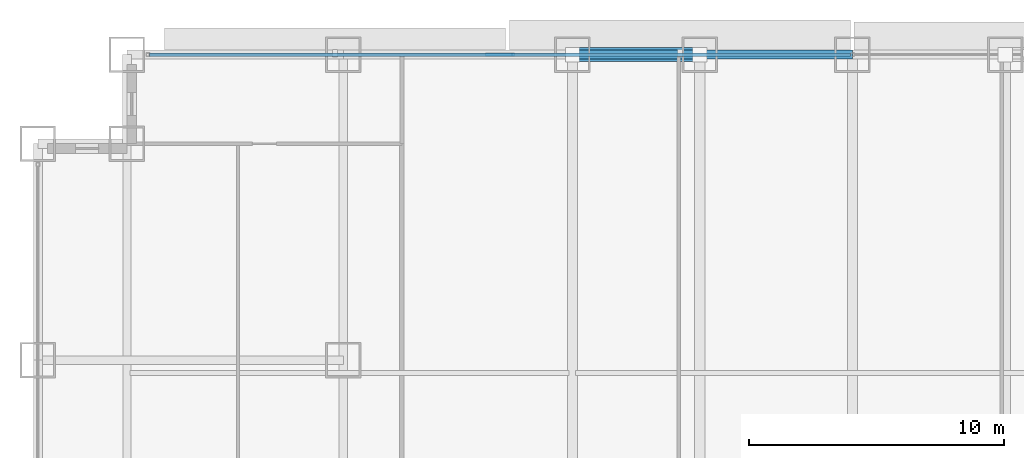
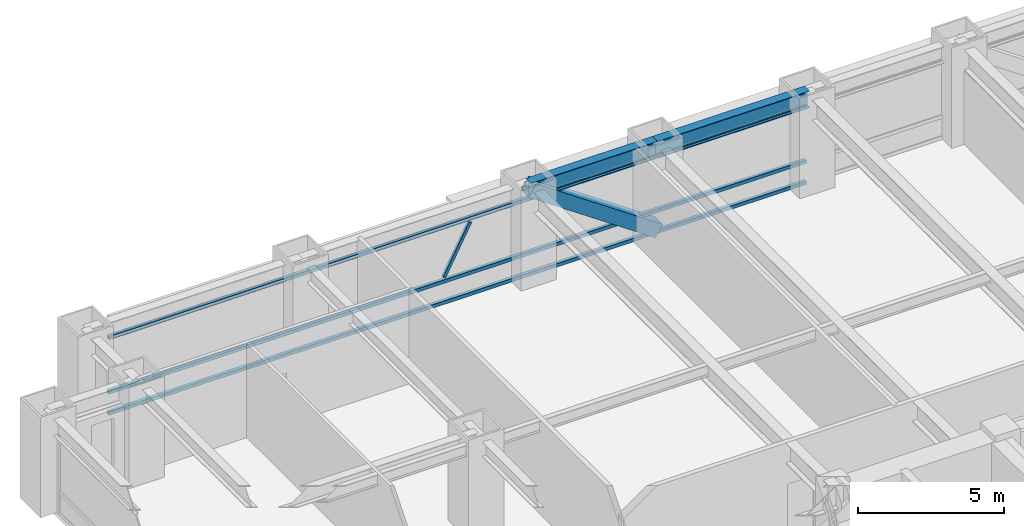
# One storey, part 18 of 32: 5 members, 2 beams, 1 element without a shape of its own.
"""IFC4 building model written with IfcOpenShell, lengths in metres."""

import ifcopenshell
import ifcopenshell.guid

model = None  # the IFC model being written
_history = None  # IfcOwnerHistory: only IFC2X3 demands one
_inside = {}  # id of a spatial element -> (the spatial element, [elements in it])
_under = {}  # id of a project, library or spatial element -> (it, [spatial elements below it])
_declared = {}  # id of a project -> (the project, [libraries it declares])
_typed = {}  # id of a type object -> (the type object, [elements of that type])
_made_of = {}  # id of a material, layer set ... -> (it, [elements and type objects made of it])


def new_model(schema):
    """Start an empty IFC model of exactly this schema.

    Asked for "IFC4X3", IfcOpenShell would pick the latest addendum, in which some entities
    have other attributes; the version numbers below select the first issue.
    IFC2X3 requires an IfcOwnerHistory on every rooted entity: one is made here for all.
    """
    global model, _history
    if schema == "IFC4X3":
        model = ifcopenshell.file(schema_version=(4, 3, 0, 0))
    else:
        model = ifcopenshell.file(schema=schema)
    _inside.clear()
    _under.clear()
    _declared.clear()
    _typed.clear()
    _made_of.clear()
    _history = None
    if model.schema == "IFC2X3":
        org = make("IfcOrganization", Name="unknown")
        user = make(
            "IfcPersonAndOrganization",
            ThePerson=make("IfcPerson", FamilyName="unknown"),
            TheOrganization=org,
        )
        app = make(
            "IfcApplication",
            ApplicationDeveloper=org,
            Version="unknown",
            ApplicationFullName="unknown",
            ApplicationIdentifier="unknown",
        )
        _history = make(
            "IfcOwnerHistory",
            OwningUser=user,
            OwningApplication=app,
            ChangeAction="ADDED",
            CreationDate=0,
        )
    return model


def make(cls, **values):
    """One entity of the class cls with the attributes given. An attribute that is None is left unset."""
    return model.create_entity(
        cls, **{name: value for name, value in values.items() if value is not None}
    )


def rooted(cls, **values):
    """An entity with a GlobalId (a new one), such as an element, a storey or a relation."""
    return make(cls, GlobalId=ifcopenshell.guid.new(), OwnerHistory=_history, **values)


def si_unit(unit_type, name, prefix=None):
    """IfcSIUnit, for example si_unit("LENGTHUNIT", "METRE", prefix="MILLI")."""
    return make("IfcSIUnit", UnitType=unit_type, Prefix=prefix, Name=name)


def assignment(units):
    """IfcUnitAssignment: the units of a project."""
    return None if units is None else make("IfcUnitAssignment", Units=units)


def point(xyz):
    """IfcCartesianPoint."""
    return None if xyz is None else make("IfcCartesianPoint", Coordinates=xyz)


def direction(xyz):
    """IfcDirection."""
    return None if xyz is None else make("IfcDirection", DirectionRatios=xyz)


def frame(location, z_axis=None, x_axis=None):
    """IfcAxis2Placement3D, a coordinate frame: its origin and axes. An axis left out is left unset."""
    return make(
        "IfcAxis2Placement3D",
        Location=point(location),
        Axis=direction(z_axis),
        RefDirection=direction(x_axis),
    )


def frame_2d(location, x_axis=None):
    """IfcAxis2Placement2D, a coordinate frame in the plane: its origin and x axis."""
    return make(
        "IfcAxis2Placement2D", Location=point(location), RefDirection=direction(x_axis)
    )


def origin():
    """The frame at (0, 0, 0) with its axes left unset."""
    return frame((0.0, 0.0, 0.0))


def origin_2d():
    """The frame at (0, 0) in the plane with its x axis left unset."""
    return frame_2d((0.0, 0.0))


def place(relative_to, where):
    """IfcLocalPlacement: puts the frame where relative to a parent placement (None: the world)."""
    return make(
        "IfcLocalPlacement", PlacementRelTo=relative_to, RelativePlacement=where
    )


def context(
    kind, dimensions, precision=None, world=None, true_north=None, identifier=None
):
    """IfcGeometricRepresentationContext, for example the 3D "Model" context."""
    return make(
        "IfcGeometricRepresentationContext",
        ContextIdentifier=identifier,
        ContextType=kind,
        CoordinateSpaceDimension=dimensions,
        Precision=precision,
        WorldCoordinateSystem=world,
        TrueNorth=true_north,
    )


def subcontext(parent, identifier, kind, view, scale=None):
    """IfcGeometricRepresentationSubContext, for example "Body" below "Model"."""
    return make(
        "IfcGeometricRepresentationSubContext",
        ContextIdentifier=identifier,
        ContextType=kind,
        ParentContext=parent,
        TargetScale=scale,
        TargetView=view,
    )


def project(units=None, contexts=None):
    """IfcProject with its units and contexts."""
    return rooted(
        "IfcProject",
        Name="project",
        RepresentationContexts=contexts,
        UnitsInContext=assignment(units),
    )


def spatial(cls, under=None, at=None, **own):
    """A site, building, storey or space (cls), placed at a placement, below another one or the project."""
    s = rooted(cls, ObjectPlacement=at, **own)
    if under is not None:
        _under.setdefault(under.id(), (under, []))[1].append(s)
    return s


def profile(cls, at=None, kind="AREA", **sizes):
    """A parametric profile (cls). Its sizes go by their IFC names, for example OverallWidth=200.0."""
    return make(cls, ProfileType=kind, Position=at, **sizes)


def hollow_rectangle(**sizes):
    """IfcRectangleHollowProfileDef."""
    return profile("IfcRectangleHollowProfileDef", **sizes)


def i_section(**sizes):
    """IfcIShapeProfileDef."""
    return profile("IfcIShapeProfileDef", **sizes)


def extrude(swept, where, along, depth):
    """IfcExtrudedAreaSolid: the profile swept, set in the frame where, extruded along a direction by depth."""
    return make(
        "IfcExtrudedAreaSolid",
        SweptArea=swept,
        Position=where,
        ExtrudedDirection=direction(along),
        Depth=depth,
    )


def shape(context_of_items, identifier, shape_type, items):
    """IfcShapeRepresentation: the items that make up one representation, for example the "Body"."""
    return make(
        "IfcShapeRepresentation",
        ContextOfItems=context_of_items,
        RepresentationIdentifier=identifier,
        RepresentationType=shape_type,
        Items=items,
    )


def source(mapping_origin, context_of_items, identifier, shape_type, items):
    """IfcRepresentationMap: a shape defined once, which mapped items show again and again."""
    return make(
        "IfcRepresentationMap",
        MappingOrigin=mapping_origin,
        MappedRepresentation=shape(context_of_items, identifier, shape_type, items),
    )


def transform(
    local_origin,
    x_axis=None,
    y_axis=None,
    z_axis=None,
    scale=None,
    scale2=None,
    scale3=None,
    uniform=True,
):
    """IfcCartesianTransformationOperator3D, or its non-uniform kind. x_axis, y_axis, z_axis: its Axis1, 2, 3."""
    if uniform:
        return make(
            "IfcCartesianTransformationOperator3D",
            Axis1=direction(x_axis),
            Axis2=direction(y_axis),
            LocalOrigin=point(local_origin),
            Scale=scale,
            Axis3=direction(z_axis),
        )
    return make(
        "IfcCartesianTransformationOperator3DnonUniform",
        Axis1=direction(x_axis),
        Axis2=direction(y_axis),
        LocalOrigin=point(local_origin),
        Scale=scale,
        Axis3=direction(z_axis),
        Scale2=scale2,
        Scale3=scale3,
    )


def mapped(mapping_source, mapping_target):
    """IfcMappedItem: shows the shape of a source again, moved by a transform."""
    return make(
        "IfcMappedItem", MappingSource=mapping_source, MappingTarget=mapping_target
    )


def material(Name=None, Category=None):
    """IfcMaterial."""
    return make("IfcMaterial", Name=Name, Category=Category)


def material_profile(
    of_material, cross_section, Name=None, Category=None, Priority=None
):
    """IfcMaterialProfile: a cross section and its material."""
    return make(
        "IfcMaterialProfile",
        Name=Name,
        Material=of_material,
        Profile=cross_section,
        Priority=Priority,
        Category=Category,
    )


def profile_set(profiles, Name=None, composite=None):
    """IfcMaterialProfileSet."""
    return make(
        "IfcMaterialProfileSet",
        Name=Name,
        MaterialProfiles=profiles,
        CompositeProfile=composite,
    )


def made_of(thing, what):
    """Note that an element or type object is made of a material, layer set ...; save() writes the relation."""
    if what is not None:
        _made_of.setdefault(what.id(), (what, []))[1].append(thing)
    return thing


def type_object(cls, material=None, **own):
    """A type object (cls), such as IfcWallType, which elements share."""
    return made_of(rooted(cls, **own), material)


def element(
    cls,
    number,
    at=None,
    inside=None,
    cuts=None,
    type_object=None,
    material=None,
    context=None,
    identifier="Body",
    shape_type=None,
    held_by="IfcProductDefinitionShape",
    body=None,
    shapes=None,
    **own,
):
    """One element of the class cls, such as IfcWall. Its Tag is "e" and its number.

    at: its placement. inside: the storey or other place that contains it. cuts: it is an
    opening in that element (IfcRelVoidsElement). A single representation is given by context,
    identifier, shape_type and body (its items); several are given by shapes. held_by: the class
    of the entity that holds the representations. save() writes the other relations.
    """
    e = rooted(cls, Tag="e%d" % number, ObjectPlacement=at, **own)
    if body is not None:
        shapes = [shape(context, identifier, shape_type, body)]
    if shapes is not None:
        e.Representation = make(held_by, Representations=shapes)
    if inside is not None:
        _inside.setdefault(inside.id(), (inside, []))[1].append(e)
    if cuts is not None:
        rooted(
            "IfcRelVoidsElement", RelatingBuildingElement=cuts, RelatedOpeningElement=e
        )
    if type_object is not None:
        _typed.setdefault(type_object.id(), (type_object, []))[1].append(e)
    return made_of(e, material)


def aggregate(whole, parts):
    """IfcRelAggregates: a whole, such as a stair, and the parts it consists of."""
    return rooted("IfcRelAggregates", RelatingObject=whole, RelatedObjects=parts)


def save(model, path):
    """Write the relations noted so far, then the file.

    IfcRelAggregates (storeys below a building ...), IfcRelContainedInSpatialStructure (elements
    in a storey), IfcRelDefinesByType, IfcRelAssociatesMaterial and IfcRelDeclares: one each for
    every whole, place, type object, material and project.
    """
    for whole, parts in _under.values():
        aggregate(whole, parts)
    for where, things in _inside.values():
        rooted(
            "IfcRelContainedInSpatialStructure",
            RelatedElements=things,
            RelatingStructure=where,
        )
    for kind, things in _typed.values():
        rooted("IfcRelDefinesByType", RelatedObjects=things, RelatingType=kind)
    for what, things in _made_of.values():
        rooted("IfcRelAssociatesMaterial", RelatedObjects=things, RelatingMaterial=what)
    for by, libraries in _declared.values():
        rooted("IfcRelDeclares", RelatingContext=by, RelatedDefinitions=libraries)
    model.write(path)


model = new_model("IFC4")

# Units and contexts
model_context = context("Model", 3, precision=1e-05, world=origin(), true_north=direction((0.0, 1.0)))
body_context = subcontext(model_context, "Body", "Model", "MODEL_VIEW")
ifc_project = project(units=[si_unit("LENGTHUNIT", "METRE"), si_unit("AREAUNIT", "SQUARE_METRE"), si_unit("VOLUMEUNIT", "CUBIC_METRE"), si_unit("PLANEANGLEUNIT", "RADIAN"), si_unit("MASSUNIT", "GRAM", prefix="KILO")], contexts=[model_context])

# Site, building, storey
site_placement = place(None, origin())
site = spatial("IfcSite", under=ifc_project, at=site_placement, CompositionType="ELEMENT")
building_placement = place(site_placement, origin())
building = spatial("IfcBuilding", under=site, at=building_placement, Name="Khorayat Bourse Tower", CompositionType="ELEMENT")
storey_placement = place(building_placement, frame((0.0, 0.0, 74.60009765625)))
storey = spatial("IfcBuildingStorey", under=building, at=storey_placement, Name="L16", CompositionType="ELEMENT", Elevation=74.60009765625)

# Beams
ifc_material_1 = material(Name="Steel ASTM A992 Grade 50", Category="steel")
ifc_material_profile_1 = material_profile(ifc_material_1, i_section(OverallWidth=0.35498046875, OverallDepth=0.695068359375, WebThickness=0.015380859375, FlangeThickness=0.02490234375, FilletRadius=0.01806640625, at=origin_2d()), Name="W690X217")
ifc_profile_set_1 = profile_set([ifc_material_profile_1], Name="Steel ASTM A992 Grade 50")
beam_type = type_object("IfcBeamType", Name="BM-SPAN-690", PredefinedType="SPANDREL", material=ifc_profile_set_1)
shared_shape_1 = source(origin(), body_context, "Body", "SweptSolid", [
    extrude(i_section(OverallWidth=0.35498046875, OverallDepth=0.695068359375, WebThickness=0.015380859375, FlangeThickness=0.02490234375, FilletRadius=0.01806640625, at=origin_2d()), origin(), (0.0, 0.0, 1.0), 5.0),
])
beam_1_placement = place(storey_placement, frame((-11.0, 32.0, 3.59228515625), z_axis=(1.0, 0.0, 0.0), x_axis=(0.0, 1.0, 0.0)))
element("IfcBeam", 1, at=beam_1_placement, inside=storey, type_object=beam_type, Name="L16 BM-SPAN-690 BM-L16-SPN-049", PredefinedType="SPANDREL", context=body_context, shape_type="MappedRepresentation", body=[
    mapped(shared_shape_1, transform((0.0, 0.0, 0.0), scale=1.0)),
])
shared_shape_2 = source(origin(), body_context, "Body", "SweptSolid", [
    extrude(i_section(OverallWidth=0.35498046875, OverallDepth=0.695068359375, WebThickness=0.015380859375, FlangeThickness=0.02490234375, FilletRadius=0.01806640625, at=origin_2d()), origin(), (0.0, 0.0, 1.0), 6.0),
])
beam_2_placement = place(storey_placement, frame((-6.0, 32.0, 3.59228515625), z_axis=(1.0, 0.0, 0.0), x_axis=(0.0, 1.0, 0.0)))
element("IfcBeam", 2, at=beam_2_placement, inside=storey, type_object=beam_type, Name="L16 BM-SPAN-690 BM-L16-SPN-048", PredefinedType="SPANDREL", context=body_context, shape_type="MappedRepresentation", body=[
    mapped(shared_shape_2, transform((0.0, 0.0, 0.0), scale=1.0)),
])

# Member
ifc_material_2 = material(Name="Steel EN 10025-4 S460M", Category="steel")
ifc_material_profile_2 = material_profile(ifc_material_2, hollow_rectangle(XDim=0.550048828125, YDim=0.550048828125, WallThickness=0.031982421875, at=origin_2d()), Name="HSS 550x550x32")
ifc_profile_set_2 = profile_set([ifc_material_profile_2], Name="Steel EN 10025-4 S460M")
member_type_1 = type_object("IfcMemberType", Name="MBR-TUBE-550", PredefinedType="BRACE", material=ifc_profile_set_2)
shared_shape_3 = source(origin(), body_context, "Body", "SweptSolid", [
    extrude(hollow_rectangle(XDim=0.550048828125, YDim=0.550048828125, WallThickness=0.031982421875, at=origin_2d()), origin(), (0.0, 0.0, 1.0), 6.069091796875),
])
member_1_placement = place(storey_placement, frame((-11.0, 32.0, 3.68994140625), z_axis=(0.823854080622, 0.0, -0.566801952928), x_axis=(0.0, 1.0, 0.0)))
element("IfcMember", 3, at=member_1_placement, inside=storey, type_object=member_type_1, Name="L16 Perimeter Tube Brace 03", PredefinedType="BRACE", context=body_context, shape_type="MappedRepresentation", body=[
    mapped(shared_shape_3, transform((0.0, 0.0, 0.0), scale=1.0)),
])

# Curtain wall, members
ifc_material_3 = material(Name="Aluminium EN AW-6063 T6", Category="aluminium")
curtain_wall_type = type_object("IfcCurtainWallType", Name="CW-SYS-02", PredefinedType="NOTDEFINED", material=ifc_material_3)
curtain_wall_placement = place(storey_placement, origin())
curtain_wall = element("IfcCurtainWall", 4, at=curtain_wall_placement, inside=storey, type_object=curtain_wall_type, Name="L16 Curtain Wall CW-L16-N1", PredefinedType="NOTDEFINED")
ifc_material_profile_3 = material_profile(ifc_material_3, hollow_rectangle(XDim=0.1201171875, YDim=0.1201171875, WallThickness=0.0048828125, at=origin_2d()), Name="ALU 120x120x5")
ifc_profile_set_3 = profile_set([ifc_material_profile_3], Name="Aluminium EN AW-6063 T6")
member_type_2 = type_object("IfcMemberType", Name="CWM-DIAG-120", PredefinedType="MULLION", material=ifc_profile_set_3)
shared_shape_4 = source(origin(), body_context, "Body", "SweptSolid", [
    extrude(hollow_rectangle(XDim=0.1201171875, YDim=0.1201171875, WallThickness=0.0048828125, at=origin_2d()), origin(), (0.0, 0.0, 1.0), 2.22607421875),
])
member_2_placement = place(storey_placement, frame((-14.3583984375, 32.0, 1.099853515625), z_axis=(0.465759992596, 0.0, 0.884911085532), x_axis=(0.0, 1.0, 0.0)))
member_2 = element("IfcMember", 5, at=member_2_placement, type_object=member_type_2, Name="CW-L16-N1 Faceted Diagonal Mullion 1", PredefinedType="MULLION", context=body_context, shape_type="MappedRepresentation", body=[
    mapped(shared_shape_4, transform((0.0, 0.0, 0.0), scale=1.0)),
])
ifc_material_profile_4 = material_profile(ifc_material_3, hollow_rectangle(XDim=0.139892578125, YDim=0.139892578125, WallThickness=0.006103515625, at=origin_2d()), Name="ALU 140x140x6")
ifc_profile_set_4 = profile_set([ifc_material_profile_4], Name="Aluminium EN AW-6063 T6")
member_type_3 = type_object("IfcMemberType", Name="CWT-HORZ-140", PredefinedType="USERDEFINED", material=ifc_profile_set_4)
shared_shape_5 = source(origin(), body_context, "Body", "SweptSolid", [
    extrude(hollow_rectangle(XDim=0.139892578125, YDim=0.139892578125, WallThickness=0.006103515625, at=origin_2d()), origin(), (0.0, 0.0, 1.0), 27.5400390625),
])
member_3_placement = place(storey_placement, frame((-27.610107421875, 32.0, 0.06982421875), z_axis=(1.0, 0.0, 0.0), x_axis=(0.0, 1.0, 0.0)))
member_3 = element("IfcMember", 6, at=member_3_placement, type_object=member_type_3, Name="CW-L16-N1 Horizontal Transom 1-1", ObjectType="TRANSOM", PredefinedType="USERDEFINED", context=body_context, shape_type="MappedRepresentation", body=[
    mapped(shared_shape_5, transform((0.0, 0.0, 0.0), scale=1.0)),
])
member_4_placement = place(storey_placement, frame((-27.610107421875, 32.0, 0.949951171875), z_axis=(1.0, 0.0, 0.0), x_axis=(0.0, 1.0, 0.0)))
member_4 = element("IfcMember", 7, at=member_4_placement, type_object=member_type_3, Name="CW-L16-N1 Horizontal Transom 1-2", ObjectType="TRANSOM", PredefinedType="USERDEFINED", context=body_context, shape_type="MappedRepresentation", body=[
    mapped(shared_shape_5, transform((0.0, 0.0, 0.0), scale=1.0)),
])
member_5_placement = place(storey_placement, frame((-27.610107421875, 32.0, 3.219970703125), z_axis=(1.0, 0.0, 0.0), x_axis=(0.0, 1.0, 0.0)))
member_5 = element("IfcMember", 8, at=member_5_placement, type_object=member_type_3, Name="CW-L16-N1 Horizontal Transom 1-3", ObjectType="TRANSOM", PredefinedType="USERDEFINED", context=body_context, shape_type="MappedRepresentation", body=[
    mapped(shared_shape_5, transform((0.0, 0.0, 0.0), scale=1.0)),
])
aggregate(curtain_wall, [member_3, member_4, member_5, member_2])

save(model, "model.ifc")
